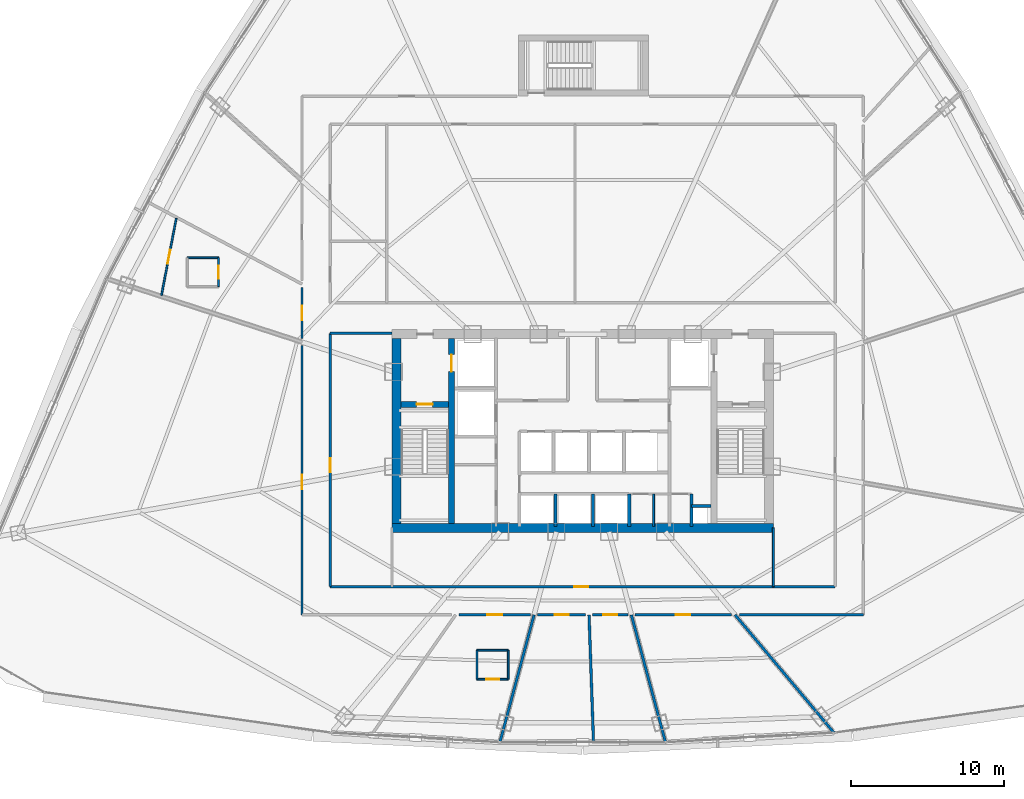
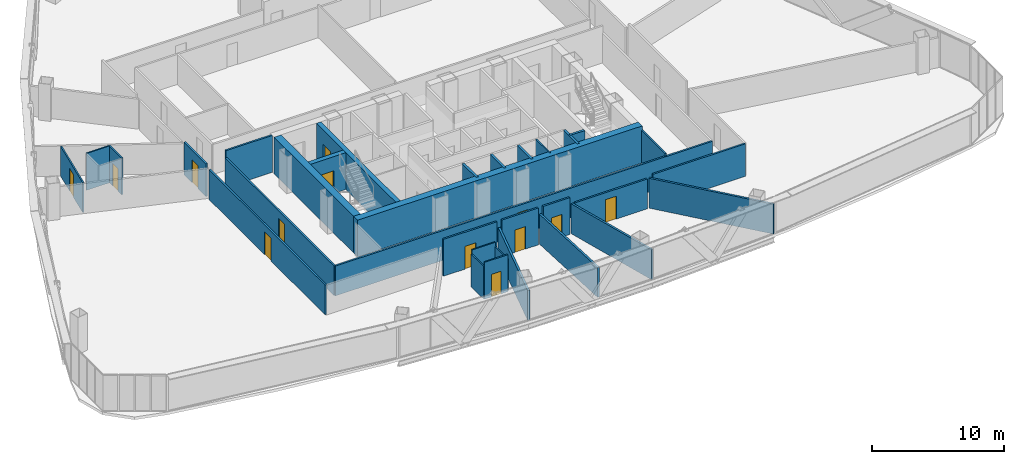
# One storey, part 35 of 42: 32 walls, 13 doors, 13 openings.
"""IFC4 building model written with IfcOpenShell, lengths in metres."""

import ifcopenshell
import ifcopenshell.guid

model = None  # the IFC model being written
_history = None  # IfcOwnerHistory: only IFC2X3 demands one
_inside = {}  # id of a spatial element -> (the spatial element, [elements in it])
_under = {}  # id of a project, library or spatial element -> (it, [spatial elements below it])
_declared = {}  # id of a project -> (the project, [libraries it declares])
_typed = {}  # id of a type object -> (the type object, [elements of that type])
_made_of = {}  # id of a material, layer set ... -> (it, [elements and type objects made of it])


def new_model(schema):
    """Start an empty IFC model of exactly this schema.

    Asked for "IFC4X3", IfcOpenShell would pick the latest addendum, in which some entities
    have other attributes; the version numbers below select the first issue.
    IFC2X3 requires an IfcOwnerHistory on every rooted entity: one is made here for all.
    """
    global model, _history
    if schema == "IFC4X3":
        model = ifcopenshell.file(schema_version=(4, 3, 0, 0))
    else:
        model = ifcopenshell.file(schema=schema)
    _inside.clear()
    _under.clear()
    _declared.clear()
    _typed.clear()
    _made_of.clear()
    _history = None
    if model.schema == "IFC2X3":
        org = make("IfcOrganization", Name="unknown")
        user = make(
            "IfcPersonAndOrganization",
            ThePerson=make("IfcPerson", FamilyName="unknown"),
            TheOrganization=org,
        )
        app = make(
            "IfcApplication",
            ApplicationDeveloper=org,
            Version="unknown",
            ApplicationFullName="unknown",
            ApplicationIdentifier="unknown",
        )
        _history = make(
            "IfcOwnerHistory",
            OwningUser=user,
            OwningApplication=app,
            ChangeAction="ADDED",
            CreationDate=0,
        )
    return model


def make(cls, **values):
    """One entity of the class cls with the attributes given. An attribute that is None is left unset."""
    return model.create_entity(
        cls, **{name: value for name, value in values.items() if value is not None}
    )


def rooted(cls, **values):
    """An entity with a GlobalId (a new one), such as an element, a storey or a relation."""
    return make(cls, GlobalId=ifcopenshell.guid.new(), OwnerHistory=_history, **values)


def si_unit(unit_type, name, prefix=None):
    """IfcSIUnit, for example si_unit("LENGTHUNIT", "METRE", prefix="MILLI")."""
    return make("IfcSIUnit", UnitType=unit_type, Prefix=prefix, Name=name)


def assignment(units):
    """IfcUnitAssignment: the units of a project."""
    return None if units is None else make("IfcUnitAssignment", Units=units)


def point(xyz):
    """IfcCartesianPoint."""
    return None if xyz is None else make("IfcCartesianPoint", Coordinates=xyz)


def direction(xyz):
    """IfcDirection."""
    return None if xyz is None else make("IfcDirection", DirectionRatios=xyz)


def frame(location, z_axis=None, x_axis=None):
    """IfcAxis2Placement3D, a coordinate frame: its origin and axes. An axis left out is left unset."""
    return make(
        "IfcAxis2Placement3D",
        Location=point(location),
        Axis=direction(z_axis),
        RefDirection=direction(x_axis),
    )


def frame_2d(location, x_axis=None):
    """IfcAxis2Placement2D, a coordinate frame in the plane: its origin and x axis."""
    return make(
        "IfcAxis2Placement2D", Location=point(location), RefDirection=direction(x_axis)
    )


def origin():
    """The frame at (0, 0, 0) with its axes left unset."""
    return frame((0.0, 0.0, 0.0))


def origin_with_axes():
    """The frame at (0, 0, 0) with the z axis (0, 0, 1) and the x axis (1, 0, 0) written out."""
    return frame((0.0, 0.0, 0.0), z_axis=(0.0, 0.0, 1.0), x_axis=(1.0, 0.0, 0.0))


def place(relative_to, where):
    """IfcLocalPlacement: puts the frame where relative to a parent placement (None: the world)."""
    return make(
        "IfcLocalPlacement", PlacementRelTo=relative_to, RelativePlacement=where
    )


def context(
    kind, dimensions, precision=None, world=None, true_north=None, identifier=None
):
    """IfcGeometricRepresentationContext, for example the 3D "Model" context."""
    return make(
        "IfcGeometricRepresentationContext",
        ContextIdentifier=identifier,
        ContextType=kind,
        CoordinateSpaceDimension=dimensions,
        Precision=precision,
        WorldCoordinateSystem=world,
        TrueNorth=true_north,
    )


def subcontext(parent, identifier, kind, view, scale=None):
    """IfcGeometricRepresentationSubContext, for example "Body" below "Model"."""
    return make(
        "IfcGeometricRepresentationSubContext",
        ContextIdentifier=identifier,
        ContextType=kind,
        ParentContext=parent,
        TargetScale=scale,
        TargetView=view,
    )


def project(units=None, contexts=None):
    """IfcProject with its units and contexts."""
    return rooted(
        "IfcProject",
        Name="project",
        RepresentationContexts=contexts,
        UnitsInContext=assignment(units),
    )


def spatial(cls, under=None, at=None, **own):
    """A site, building, storey or space (cls), placed at a placement, below another one or the project."""
    s = rooted(cls, ObjectPlacement=at, **own)
    if under is not None:
        _under.setdefault(under.id(), (under, []))[1].append(s)
    return s


def profile(cls, at=None, kind="AREA", **sizes):
    """A parametric profile (cls). Its sizes go by their IFC names, for example OverallWidth=200.0."""
    return make(cls, ProfileType=kind, Position=at, **sizes)


def rectangle(**sizes):
    """IfcRectangleProfileDef."""
    return profile("IfcRectangleProfileDef", **sizes)


def extrude(swept, where, along, depth):
    """IfcExtrudedAreaSolid: the profile swept, set in the frame where, extruded along a direction by depth."""
    return make(
        "IfcExtrudedAreaSolid",
        SweptArea=swept,
        Position=where,
        ExtrudedDirection=direction(along),
        Depth=depth,
    )


def shape(context_of_items, identifier, shape_type, items):
    """IfcShapeRepresentation: the items that make up one representation, for example the "Body"."""
    return make(
        "IfcShapeRepresentation",
        ContextOfItems=context_of_items,
        RepresentationIdentifier=identifier,
        RepresentationType=shape_type,
        Items=items,
    )


def source(mapping_origin, context_of_items, identifier, shape_type, items):
    """IfcRepresentationMap: a shape defined once, which mapped items show again and again."""
    return make(
        "IfcRepresentationMap",
        MappingOrigin=mapping_origin,
        MappedRepresentation=shape(context_of_items, identifier, shape_type, items),
    )


def transform(
    local_origin,
    x_axis=None,
    y_axis=None,
    z_axis=None,
    scale=None,
    scale2=None,
    scale3=None,
    uniform=True,
):
    """IfcCartesianTransformationOperator3D, or its non-uniform kind. x_axis, y_axis, z_axis: its Axis1, 2, 3."""
    if uniform:
        return make(
            "IfcCartesianTransformationOperator3D",
            Axis1=direction(x_axis),
            Axis2=direction(y_axis),
            LocalOrigin=point(local_origin),
            Scale=scale,
            Axis3=direction(z_axis),
        )
    return make(
        "IfcCartesianTransformationOperator3DnonUniform",
        Axis1=direction(x_axis),
        Axis2=direction(y_axis),
        LocalOrigin=point(local_origin),
        Scale=scale,
        Axis3=direction(z_axis),
        Scale2=scale2,
        Scale3=scale3,
    )


def mapped(mapping_source, mapping_target):
    """IfcMappedItem: shows the shape of a source again, moved by a transform."""
    return make(
        "IfcMappedItem", MappingSource=mapping_source, MappingTarget=mapping_target
    )


def material(Name=None, Category=None):
    """IfcMaterial."""
    return make("IfcMaterial", Name=Name, Category=Category)


def layer(
    of_material, thickness, ventilated=None, Name=None, Category=None, Priority=None
):
    """IfcMaterialLayer: one layer of a wall or slab, of a material (None: an air gap)."""
    return make(
        "IfcMaterialLayer",
        Material=of_material,
        LayerThickness=thickness,
        IsVentilated=ventilated,
        Name=Name,
        Category=Category,
        Priority=Priority,
    )


def layer_set(layers, Name=None):
    """IfcMaterialLayerSet."""
    return make("IfcMaterialLayerSet", MaterialLayers=layers, LayerSetName=Name)


def made_of(thing, what):
    """Note that an element or type object is made of a material, layer set ...; save() writes the relation."""
    if what is not None:
        _made_of.setdefault(what.id(), (what, []))[1].append(thing)
    return thing


def type_object(cls, material=None, **own):
    """A type object (cls), such as IfcWallType, which elements share."""
    return made_of(rooted(cls, **own), material)


def element(
    cls,
    number,
    at=None,
    inside=None,
    cuts=None,
    type_object=None,
    material=None,
    context=None,
    identifier="Body",
    shape_type=None,
    held_by="IfcProductDefinitionShape",
    body=None,
    shapes=None,
    **own,
):
    """One element of the class cls, such as IfcWall. Its Tag is "e" and its number.

    at: its placement. inside: the storey or other place that contains it. cuts: it is an
    opening in that element (IfcRelVoidsElement). A single representation is given by context,
    identifier, shape_type and body (its items); several are given by shapes. held_by: the class
    of the entity that holds the representations. save() writes the other relations.
    """
    e = rooted(cls, Tag="e%d" % number, ObjectPlacement=at, **own)
    if body is not None:
        shapes = [shape(context, identifier, shape_type, body)]
    if shapes is not None:
        e.Representation = make(held_by, Representations=shapes)
    if inside is not None:
        _inside.setdefault(inside.id(), (inside, []))[1].append(e)
    if cuts is not None:
        rooted(
            "IfcRelVoidsElement", RelatingBuildingElement=cuts, RelatedOpeningElement=e
        )
    if type_object is not None:
        _typed.setdefault(type_object.id(), (type_object, []))[1].append(e)
    return made_of(e, material)


def fill(opening, filler):
    """IfcRelFillsElement: the door or window that sits in an opening."""
    return rooted(
        "IfcRelFillsElement",
        RelatingOpeningElement=opening,
        RelatedBuildingElement=filler,
    )


def aggregate(whole, parts):
    """IfcRelAggregates: a whole, such as a stair, and the parts it consists of."""
    return rooted("IfcRelAggregates", RelatingObject=whole, RelatedObjects=parts)


def save(model, path):
    """Write the relations noted so far, then the file.

    IfcRelAggregates (storeys below a building ...), IfcRelContainedInSpatialStructure (elements
    in a storey), IfcRelDefinesByType, IfcRelAssociatesMaterial and IfcRelDeclares: one each for
    every whole, place, type object, material and project.
    """
    for whole, parts in _under.values():
        aggregate(whole, parts)
    for where, things in _inside.values():
        rooted(
            "IfcRelContainedInSpatialStructure",
            RelatedElements=things,
            RelatingStructure=where,
        )
    for kind, things in _typed.values():
        rooted("IfcRelDefinesByType", RelatedObjects=things, RelatingType=kind)
    for what, things in _made_of.values():
        rooted("IfcRelAssociatesMaterial", RelatedObjects=things, RelatingMaterial=what)
    for by, libraries in _declared.values():
        rooted("IfcRelDeclares", RelatingContext=by, RelatedDefinitions=libraries)
    model.write(path)


model = new_model("IFC4")

# Units and contexts
model_context = context("Model", 3, precision=1e-05, world=origin(), true_north=direction((0.0, 1.0)))
body_context = subcontext(model_context, "Body", "Model", "MODEL_VIEW")
ifc_project = project(units=[si_unit("LENGTHUNIT", "METRE"), si_unit("AREAUNIT", "SQUARE_METRE"), si_unit("VOLUMEUNIT", "CUBIC_METRE"), si_unit("PLANEANGLEUNIT", "RADIAN"), si_unit("MASSUNIT", "GRAM", prefix="KILO"), si_unit("THERMODYNAMICTEMPERATUREUNIT", "KELVIN"), si_unit("POWERUNIT", "WATT")], contexts=[model_context])

# Site, building, storey
site_placement = place(None, origin())
site = spatial("IfcSite", under=ifc_project, at=site_placement, CompositionType="ELEMENT")
building_placement = place(site_placement, origin())
building = spatial("IfcBuilding", under=site, at=building_placement, Name="Yunzhuo Pagoda Commons", CompositionType="ELEMENT")
storey_placement = place(building_placement, frame((0.0, 0.0, 151.909912109375)))
storey = spatial("IfcBuildingStorey", under=building, at=storey_placement, Name="L38", CompositionType="ELEMENT", Elevation=151.909912109375)

# Walls
ifc_material_1 = material(Name="Concrete C60", Category="concrete")
ifc_layer_1 = layer(ifc_material_1, 0.60009765625)
ifc_layer_set_1 = layer_set([ifc_layer_1], Name="Concrete C60")
wall_type_1 = type_object("IfcWallType", Name="W-C02 Mid Core Shear Wall 600", PredefinedType="SHEAR", material=ifc_layer_set_1)
wall_1_placement = place(storey_placement, frame((35.5, 27.5, 0.0), z_axis=(0.0, 0.0, 1.0), x_axis=(1.0, 0.0, 0.0)))
element("IfcWall", 1, at=wall_1_placement, inside=storey, type_object=wall_type_1, Name="L38 core shear wall S", PredefinedType="SHEAR", context=body_context, shape_type="SweptSolid", body=[
    extrude(rectangle(XDim=25.0, YDim=0.60009765625, at=frame_2d((12.5, 0.0))), origin(), (0.0, 0.0, 1.0), 3.420166015625),
])
wall_2_placement = place(storey_placement, frame((35.800048828125, 27.800048828125, 0.0), z_axis=(0.0, 0.0, 1.0), x_axis=(0.0, 1.0, 0.0)))
element("IfcWall", 2, at=wall_2_placement, inside=storey, type_object=wall_type_1, Name="L38 core shear wall W", PredefinedType="SHEAR", context=body_context, shape_type="SweptSolid", body=[
    extrude(rectangle(XDim=12.099853515625, YDim=0.60009765625, at=frame_2d((6.0498046875, 0.0))), origin(), (0.0, 0.0, 1.0), 3.420166015625),
])

# Wall, opening, door
ifc_material_2 = material(Name="Gypsum plasterboard on acoustic stud")
ifc_layer_2 = layer(ifc_material_2, 0.155029296875)
ifc_layer_set_2 = layer_set([ifc_layer_2], Name="Gypsum plasterboard on acoustic stud")
wall_type_2 = type_object("IfcWallType", Name="W-COR2 Mid-Zone Rated Corridor Wall 155", PredefinedType="PARTITIONING", material=ifc_layer_set_2)
wall_3_placement = place(storey_placement, frame((31.449951171875, 23.64990234375, 0.0), z_axis=(0.0, 0.0, 1.0), x_axis=(0.0, 1.0, 0.0)))
wall_3 = element("IfcWall", 3, at=wall_3_placement, inside=storey, type_object=wall_type_2, Name="L38 interior wall IW-L38-SFLW", PredefinedType="PARTITIONING", context=body_context, shape_type="SweptSolid", body=[
    extrude(rectangle(XDim=16.60009765625, YDim=0.155029296875, at=frame_2d((8.300048828125, 0.0))), origin(), (0.0, 0.0, 1.0), 2.77001953125),
])
opening_1_placement = place(wall_3_placement, frame((7.5, 0.0, 0.0)))
opening_1 = element("IfcOpeningElement", 4, at=opening_1_placement, cuts=wall_3, Name="Opening D-12", PredefinedType="OPENING", context=body_context, shape_type="SweptSolid", body=[
    extrude(rectangle(XDim=0.89990234375, YDim=2.080078125, at=frame_2d((0.449951171875, 1.0400390625))), frame((0.0, 0.08740234375, 0.0), z_axis=(0.0, -1.0, 0.0), x_axis=(1.0, 0.0, 0.0)), (0.0, 0.0, 1.0), 0.175048828125),
])
ifc_material_3 = material(Name="Powder-coated aluminium and timber acoustic leaf", Category="wood")
door_type_1 = type_object("IfcDoorType", Name="D-12 Quiet Study Interior Door 900x2080", OperationType="NOTDEFINED", PredefinedType="DOOR", material=ifc_material_3)
shared_shape_1 = source(origin(), body_context, "Body", "SweptSolid", [
    extrude(rectangle(XDim=0.89990234375, YDim=2.080078125, at=frame_2d((0.449951171875, 1.0400390625))), frame((0.0, 0.02490234375, 0.0), z_axis=(0.0, -1.0, 0.0), x_axis=(1.0, 0.0, 0.0)), (0.0, 0.0, 1.0), 0.050048828125),
])
door_1_placement = place(opening_1_placement, origin_with_axes())
door_1 = element("IfcDoor", 5, at=door_1_placement, inside=storey, type_object=door_type_1, Name="L38 west study workroom door", OperationType="SINGLE_SWING_LEFT", OverallHeight=2.080078125, OverallWidth=0.89990234375, PredefinedType="DOOR", context=body_context, shape_type="MappedRepresentation", body=[
    mapped(shared_shape_1, transform((0.0, 0.0, 0.0), scale=1.0)),
])
fill(opening_1, door_1)

wall_4_placement = place(storey_placement, frame((31.449951171875, 23.64990234375, 0.0), z_axis=(0.0, 0.0, 1.0), x_axis=(1.0, 0.0, 0.0)))
wall_4 = element("IfcWall", 6, at=wall_4_placement, inside=storey, type_object=wall_type_2, Name="L38 interior wall IW-L38-SFLS", PredefinedType="PARTITIONING", context=body_context, shape_type="SweptSolid", body=[
    extrude(rectangle(XDim=33.10009765625, YDim=0.155029296875, at=frame_2d((16.550048828125, 0.0))), origin(), (0.0, 0.0, 1.0), 2.77001953125),
])
opening_2_placement = place(wall_4_placement, frame((16.0, 0.0, 0.0)))
opening_2 = element("IfcOpeningElement", 7, at=opening_2_placement, cuts=wall_4, Name="Opening D-04", PredefinedType="OPENING", context=body_context, shape_type="SweptSolid", body=[
    extrude(rectangle(XDim=0.919921875, YDim=2.10009765625, at=frame_2d((0.4599609375, 1.050048828125))), frame((0.0, 0.08740234375, 0.0), z_axis=(0.0, -1.0, 0.0), x_axis=(1.0, 0.0, 0.0)), (0.0, 0.0, 1.0), 0.175048828125),
])
door_type_2 = type_object("IfcDoorType", Name="D-04 Bedroom & Study Interior Door 920x2100", OperationType="NOTDEFINED", PredefinedType="DOOR", material=ifc_material_3)
shared_shape_2 = source(origin(), body_context, "Body", "SweptSolid", [
    extrude(rectangle(XDim=0.919921875, YDim=2.10009765625, at=frame_2d((0.4599609375, 1.050048828125))), frame((0.0, 0.02490234375, 0.0), z_axis=(0.0, -1.0, 0.0), x_axis=(1.0, 0.0, 0.0)), (0.0, 0.0, 1.0), 0.050048828125),
])
door_2_placement = place(opening_2_placement, frame((0.919921875, 0.0, 0.0), z_axis=(0.0, 0.0, 1.0), x_axis=(-1.0, 0.0, 0.0)))
door_2 = element("IfcDoor", 8, at=door_2_placement, inside=storey, type_object=door_type_2, Name="L38 south seminar room door", OperationType="SINGLE_SWING_RIGHT", OverallHeight=2.10009765625, OverallWidth=0.919921875, PredefinedType="DOOR", context=body_context, shape_type="MappedRepresentation", body=[
    mapped(shared_shape_2, transform((0.0, 0.0, 0.0), scale=1.0)),
])
fill(opening_2, door_2)

# Wall
wall_5_placement = place(storey_placement, frame((31.449951171875, 40.25, 0.0), z_axis=(0.0, 0.0, 1.0), x_axis=(1.0, 0.0, 0.0)))
element("IfcWall", 9, at=wall_5_placement, inside=storey, type_object=wall_type_2, Name="L38 interior wall IW-L38-SFLNW", PredefinedType="PARTITIONING", context=body_context, shape_type="SweptSolid", body=[
    extrude(rectangle(XDim=4.050048828125, YDim=0.155029296875, at=frame_2d((2.02490234375, 0.0))), origin(), (0.0, 0.0, 1.0), 3.420166015625),
])

# Wall, opening, door
wall_6_placement = place(storey_placement, frame((29.60009765625, 21.800048828125, 0.0), z_axis=(0.0, 0.0, 1.0), x_axis=(0.0, 1.0, 0.0)))
wall_6 = element("IfcWall", 10, at=wall_6_placement, inside=storey, type_object=wall_type_2, Name="L38 interior wall IW-L38-CWL01", PredefinedType="PARTITIONING", context=body_context, shape_type="SweptSolid", body=[
    extrude(rectangle(XDim=17.65869140625, YDim=0.155029296875, at=frame_2d((8.829345703125, 0.0))), origin(), (0.0, 0.0, 1.0), 2.77001953125),
])
opening_3_placement = place(wall_6_placement, frame((8.234375, 0.0, 0.0)))
opening_3 = element("IfcOpeningElement", 11, at=opening_3_placement, cuts=wall_6, Name="Opening D-07", PredefinedType="OPENING", context=body_context, shape_type="SweptSolid", body=[
    extrude(rectangle(XDim=0.9599609375, YDim=2.1201171875, at=frame_2d((0.47998046875, 1.06005859375))), frame((0.0, 0.08740234375, 0.0), z_axis=(0.0, -1.0, 0.0), x_axis=(1.0, 0.0, 0.0)), (0.0, 0.0, 1.0), 0.175048828125),
])
ifc_material_4 = material(Name="Galvanized fire-resisting metal leaf")
door_type_3 = type_object("IfcDoorType", Name="D-07 Mid-Zone Suite Entrance Fire Door 960x2120", OperationType="NOTDEFINED", PredefinedType="DOOR", material=ifc_material_4)
shared_shape_3 = source(origin(), body_context, "Body", "SweptSolid", [
    extrude(rectangle(XDim=0.9599609375, YDim=2.1201171875, at=frame_2d((0.47998046875, 1.06005859375))), frame((0.0, 0.02490234375, 0.0), z_axis=(0.0, -1.0, 0.0), x_axis=(1.0, 0.0, 0.0)), (0.0, 0.0, 1.0), 0.050048828125),
])
door_3_placement = place(opening_3_placement, origin_with_axes())
door_3 = element("IfcDoor", 12, at=door_3_placement, inside=storey, type_object=door_type_3, Name="L38 Resident Co-Living Commons Hall door", OperationType="SINGLE_SWING_RIGHT", OverallHeight=2.1201171875, OverallWidth=0.9599609375, PredefinedType="DOOR", context=body_context, shape_type="MappedRepresentation", body=[
    mapped(shared_shape_3, transform((0.0, 0.0, 0.0), scale=1.0)),
])
fill(opening_3, door_3)

wall_7_placement = place(storey_placement, frame((29.60009765625, 39.909912109375, 0.0), z_axis=(0.0, 0.0, 1.0), x_axis=(0.0, 1.0, 0.0)))
wall_7 = element("IfcWall", 13, at=wall_7_placement, inside=storey, type_object=wall_type_2, Name="L38 interior wall IW-L38-CWL02", PredefinedType="PARTITIONING", context=body_context, shape_type="SweptSolid", body=[
    extrude(rectangle(XDim=3.353515625, YDim=0.155029296875, at=frame_2d((1.6767578125, 0.0))), origin(), (0.0, 0.0, 1.0), 3.02001953125),
])
opening_4_placement = place(wall_7_placement, frame((1.1962890625, 0.0, 0.0)))
opening_4 = element("IfcOpeningElement", 14, at=opening_4_placement, cuts=wall_7, Name="Opening D-07", PredefinedType="OPENING", context=body_context, shape_type="SweptSolid", body=[
    extrude(rectangle(XDim=0.9599609375, YDim=2.1201171875, at=frame_2d((0.47998046875, 1.06005859375))), frame((0.0, 0.08740234375, 0.0), z_axis=(0.0, -1.0, 0.0), x_axis=(1.0, 0.0, 0.0)), (0.0, 0.0, 1.0), 0.175048828125),
])
door_4_placement = place(opening_4_placement, origin_with_axes())
door_4 = element("IfcDoor", 15, at=door_4_placement, inside=storey, type_object=door_type_3, Name="L38 unit 07 entrance door", OperationType="SINGLE_SWING_LEFT", OverallHeight=2.1201171875, OverallWidth=0.9599609375, PredefinedType="DOOR", context=body_context, shape_type="MappedRepresentation", body=[
    mapped(shared_shape_3, transform((0.0, 0.0, 0.0), scale=1.0)),
])
fill(opening_4, door_4)

# Wall
wall_8_placement = place(storey_placement, frame((66.39990234375, 21.800048828125, 0.0), z_axis=(0.0, 0.0, 1.0), x_axis=(-1.0, 0.0, 0.0)))
element("IfcWall", 16, at=wall_8_placement, inside=storey, type_object=wall_type_2, Name="L38 interior wall IW-L38-CWL13", PredefinedType="PARTITIONING", context=body_context, shape_type="SweptSolid", body=[
    extrude(rectangle(XDim=8.12744140625, YDim=0.155029296875, at=frame_2d((4.063720703125, 0.0))), origin(), (0.0, 0.0, 1.0), 3.02001953125),
])

# Wall, opening, door
wall_9_placement = place(storey_placement, frame((57.765380859375, 21.800048828125, 0.0), z_axis=(0.0, 0.0, 1.0), x_axis=(-1.0, 0.0, 0.0)))
wall_9 = element("IfcWall", 17, at=wall_9_placement, inside=storey, type_object=wall_type_2, Name="L38 interior wall IW-L38-CWL14", PredefinedType="PARTITIONING", context=body_context, shape_type="SweptSolid", body=[
    extrude(rectangle(XDim=6.348876953125, YDim=0.155029296875, at=frame_2d((3.17431640625, 0.0))), origin(), (0.0, 0.0, 1.0), 2.77001953125),
])
opening_5_placement = place(wall_9_placement, frame((2.703369140625, 0.0, 0.0)))
opening_5 = element("IfcOpeningElement", 18, at=opening_5_placement, cuts=wall_9, Name="Opening D-07", PredefinedType="OPENING", context=body_context, shape_type="SweptSolid", body=[
    extrude(rectangle(XDim=0.9599609375, YDim=2.1201171875, at=frame_2d((0.47998046875, 1.06005859375))), frame((0.0, 0.08740234375, 0.0), z_axis=(0.0, -1.0, 0.0), x_axis=(1.0, 0.0, 0.0)), (0.0, 0.0, 1.0), 0.175048828125),
])
door_5_placement = place(opening_5_placement, origin_with_axes())
door_5 = element("IfcDoor", 19, at=door_5_placement, inside=storey, type_object=door_type_3, Name="L38 unit 12 entrance door", OperationType="SINGLE_SWING_RIGHT", OverallHeight=2.1201171875, OverallWidth=0.9599609375, PredefinedType="DOOR", context=body_context, shape_type="MappedRepresentation", body=[
    mapped(shared_shape_3, transform((0.0, 0.0, 0.0), scale=1.0)),
])
fill(opening_5, door_5)

wall_10_placement = place(storey_placement, frame((50.96875, 21.800048828125, 0.0), z_axis=(0.0, 0.0, 1.0), x_axis=(-1.0, 0.0, 0.0)))
wall_10 = element("IfcWall", 20, at=wall_10_placement, inside=storey, type_object=wall_type_2, Name="L38 interior wall IW-L38-CWL15", PredefinedType="PARTITIONING", context=body_context, shape_type="SweptSolid", body=[
    extrude(rectangle(XDim=2.3330078125, YDim=0.155029296875, at=frame_2d((1.16650390625, 0.0))), origin(), (0.0, 0.0, 1.0), 3.420166015625),
])
opening_6_placement = place(wall_10_placement, frame((0.706787109375, 0.0, 0.0)))
opening_6 = element("IfcOpeningElement", 21, at=opening_6_placement, cuts=wall_10, Name="Opening D-04", PredefinedType="OPENING", context=body_context, shape_type="SweptSolid", body=[
    extrude(rectangle(XDim=0.919921875, YDim=2.10009765625, at=frame_2d((0.4599609375, 1.050048828125))), frame((0.0, 0.08740234375, 0.0), z_axis=(0.0, -1.0, 0.0), x_axis=(1.0, 0.0, 0.0)), (0.0, 0.0, 1.0), 0.175048828125),
])
door_6_placement = place(opening_6_placement, origin_with_axes())
door_6 = element("IfcDoor", 22, at=door_6_placement, inside=storey, type_object=door_type_2, Name="L38 fellow workroom 11 door", OperationType="SINGLE_SWING_LEFT", OverallHeight=2.10009765625, OverallWidth=0.919921875, PredefinedType="DOOR", context=body_context, shape_type="MappedRepresentation", body=[
    mapped(shared_shape_2, transform((0.0, 0.0, 0.0), scale=1.0)),
])
fill(opening_6, door_6)

wall_11_placement = place(storey_placement, frame((48.19580078125, 21.800048828125, 0.0), z_axis=(0.0, 0.0, 1.0), x_axis=(-1.0, 0.0, 0.0)))
wall_11 = element("IfcWall", 23, at=wall_11_placement, inside=storey, type_object=wall_type_2, Name="L38 interior wall IW-L38-CWL16", PredefinedType="PARTITIONING", context=body_context, shape_type="SweptSolid", body=[
    extrude(rectangle(XDim=3.16455078125, YDim=0.155029296875, at=frame_2d((1.582275390625, 0.0))), origin(), (0.0, 0.0, 1.0), 3.420166015625),
])
opening_7_placement = place(wall_11_placement, frame((1.122314453125, 0.0, 0.0)))
opening_7 = element("IfcOpeningElement", 24, at=opening_7_placement, cuts=wall_11, Name="Opening D-04", PredefinedType="OPENING", context=body_context, shape_type="SweptSolid", body=[
    extrude(rectangle(XDim=0.919921875, YDim=2.10009765625, at=frame_2d((0.4599609375, 1.050048828125))), frame((0.0, 0.08740234375, 0.0), z_axis=(0.0, -1.0, 0.0), x_axis=(1.0, 0.0, 0.0)), (0.0, 0.0, 1.0), 0.175048828125),
])
door_7_placement = place(opening_7_placement, origin_with_axes())
door_7 = element("IfcDoor", 25, at=door_7_placement, inside=storey, type_object=door_type_2, Name="L38 fellow workroom 10 door", OperationType="SINGLE_SWING_RIGHT", OverallHeight=2.10009765625, OverallWidth=0.919921875, PredefinedType="DOOR", context=body_context, shape_type="MappedRepresentation", body=[
    mapped(shared_shape_2, transform((0.0, 0.0, 0.0), scale=1.0)),
])
fill(opening_7, door_7)

wall_12_placement = place(storey_placement, frame((44.58349609375, 21.800048828125, 0.0), z_axis=(0.0, 0.0, 1.0), x_axis=(-1.0, 0.0, 0.0)))
wall_12 = element("IfcWall", 26, at=wall_12_placement, inside=storey, type_object=wall_type_2, Name="L38 interior wall IW-L38-CWL17", PredefinedType="PARTITIONING", context=body_context, shape_type="SweptSolid", body=[
    extrude(rectangle(XDim=4.6962890625, YDim=0.155029296875, at=frame_2d((2.34814453125, 0.0))), origin(), (0.0, 0.0, 1.0), 3.420166015625),
])
opening_8_placement = place(wall_12_placement, frame((1.869140625, 0.0, 0.0)))
opening_8 = element("IfcOpeningElement", 27, at=opening_8_placement, cuts=wall_12, Name="Opening D-07", PredefinedType="OPENING", context=body_context, shape_type="SweptSolid", body=[
    extrude(rectangle(XDim=0.9599609375, YDim=2.1201171875, at=frame_2d((0.47998046875, 1.06005859375))), frame((0.0, 0.08740234375, 0.0), z_axis=(0.0, -1.0, 0.0), x_axis=(1.0, 0.0, 0.0)), (0.0, 0.0, 1.0), 0.175048828125),
])
door_8_placement = place(opening_8_placement, origin_with_axes())
door_8 = element("IfcDoor", 28, at=door_8_placement, inside=storey, type_object=door_type_3, Name="L38 unit 09 entrance door", OperationType="SINGLE_SWING_LEFT", OverallHeight=2.1201171875, OverallWidth=0.9599609375, PredefinedType="DOOR", context=body_context, shape_type="MappedRepresentation", body=[
    mapped(shared_shape_3, transform((0.0, 0.0, 0.0), scale=1.0)),
])
fill(opening_8, door_8)

# Walls
ifc_layer_3 = layer(ifc_material_2, 0.1201171875)
ifc_layer_set_3 = layer_set([ifc_layer_3], Name="Gypsum plasterboard on acoustic stud")
wall_type_3 = type_object("IfcWallType", Name="W-PRT1 Suite & Bathroom Partition 120", PredefinedType="PARTITIONING", material=ifc_layer_set_3)
wall_13_placement = place(storey_placement, frame((52.64990234375, 27.60009765625, 0.0), z_axis=(0.0, 0.0, 1.0), x_axis=(0.0, 1.0, 0.0)))
element("IfcWall", 29, at=wall_13_placement, inside=storey, type_object=wall_type_3, Name="L38 interior wall IW-L38-CD2", PredefinedType="PARTITIONING", context=body_context, shape_type="SweptSolid", body=[
    extrude(rectangle(XDim=2.119873046875, YDim=0.1201171875, at=frame_2d((1.06005859375, 0.0))), origin(), (0.0, 0.0, 1.0), 3.420166015625),
])
wall_14_placement = place(storey_placement, frame((60.5, 23.64990234375, 0.0), z_axis=(0.0, 0.0, 1.0), x_axis=(0.0, 1.0, 0.0)))
element("IfcWall", 30, at=wall_14_placement, inside=storey, type_object=wall_type_3, Name="L38 interior wall IW-L38-SFLD2", PredefinedType="PARTITIONING", context=body_context, shape_type="SweptSolid", body=[
    extrude(rectangle(XDim=3.85009765625, YDim=0.1201171875, at=frame_2d((1.925048828125, 0.0))), origin(), (0.0, 0.0, 1.0), 3.02001953125),
])

# Wall, opening, door
wall_15_placement = place(storey_placement, frame((24.1298828125, 43.31005859375, 0.0), z_axis=(0.0, 0.0, 1.0), x_axis=(0.0, 1.0, 0.0)))
wall_15 = element("IfcWall", 31, at=wall_15_placement, inside=storey, type_object=wall_type_3, Name="L38 interior wall IW-L38-B07E", PredefinedType="PARTITIONING", context=body_context, shape_type="SweptSolid", body=[
    extrude(rectangle(XDim=1.89990234375, YDim=0.1201171875, at=frame_2d((0.949951171875, 0.0))), origin(), (0.0, 0.0, 1.0), 3.420166015625),
])
opening_9_placement = place(wall_15_placement, frame((0.52490234375, 0.0, 0.0)))
opening_9 = element("IfcOpeningElement", 32, at=opening_9_placement, cuts=wall_15, Name="Opening D-05", PredefinedType="OPENING", context=body_context, shape_type="SweptSolid", body=[
    extrude(rectangle(XDim=0.85009765625, YDim=2.10009765625, at=frame_2d((0.425048828125, 1.050048828125))), frame((0.0, 0.070068359375, 0.0), z_axis=(0.0, -1.0, 0.0), x_axis=(1.0, 0.0, 0.0)), (0.0, 0.0, 1.0), 0.14013671875),
])
door_type_4 = type_object("IfcDoorType", Name="D-05 En-Suite Bathroom Door 850x2100", OperationType="NOTDEFINED", PredefinedType="DOOR", material=ifc_material_3)
shared_shape_4 = source(origin(), body_context, "Body", "SweptSolid", [
    extrude(rectangle(XDim=0.85009765625, YDim=2.10009765625, at=frame_2d((0.425048828125, 1.050048828125))), frame((0.0, 0.02490234375, 0.0), z_axis=(0.0, -1.0, 0.0), x_axis=(1.0, 0.0, 0.0)), (0.0, 0.0, 1.0), 0.050048828125),
])
door_9_placement = place(opening_9_placement, frame((0.85009765625, 0.0, 0.0), z_axis=(0.0, 0.0, 1.0), x_axis=(-1.0, 0.0, 0.0)))
door_9 = element("IfcDoor", 33, at=door_9_placement, inside=storey, type_object=door_type_4, Name="L38 unit 07 bathroom door", OperationType="SINGLE_SWING_LEFT", OverallHeight=2.10009765625, OverallWidth=0.85009765625, PredefinedType="DOOR", context=body_context, shape_type="MappedRepresentation", body=[
    mapped(shared_shape_4, transform((0.0, 0.0, 0.0), scale=1.0)),
])
fill(opening_9, door_9)

# Wall
wall_16_placement = place(storey_placement, frame((24.1298828125, 45.2099609375, 0.0), z_axis=(0.0, 0.0, 1.0), x_axis=(-1.0, 0.0, 0.0)))
element("IfcWall", 34, at=wall_16_placement, inside=storey, type_object=wall_type_3, Name="L38 interior wall IW-L38-B07N", PredefinedType="PARTITIONING", context=body_context, shape_type="SweptSolid", body=[
    extrude(rectangle(XDim=2.0498046875, YDim=0.1201171875, at=frame_2d((1.02490234375, 0.0))), origin(), (0.0, 0.0, 1.0), 3.420166015625),
])

# Wall, opening, door
wall_17_placement = place(storey_placement, frame((21.363525390625, 47.794921875, 0.0), z_axis=(0.0, 0.0, 1.0), x_axis=(-0.188731428073, -0.982028740953, 0.0)))
wall_17 = element("IfcWall", 35, at=wall_17_placement, inside=storey, type_object=wall_type_3, Name="L38 interior wall IW-L38-CLB07", PredefinedType="PARTITIONING", context=body_context, shape_type="SweptSolid", body=[
    extrude(rectangle(XDim=5.153564453125, YDim=0.1201171875, at=frame_2d((2.57666015625, 0.0))), origin(), (0.0, 0.0, 1.0), 2.77001953125),
])
opening_10_placement = place(wall_17_placement, frame((2.116943359375, 0.0, 0.0)))
opening_10 = element("IfcOpeningElement", 36, at=opening_10_placement, cuts=wall_17, Name="Opening D-04", PredefinedType="OPENING", context=body_context, shape_type="SweptSolid", body=[
    extrude(rectangle(XDim=0.919921875, YDim=2.10009765625, at=frame_2d((0.4599609375, 1.050048828125))), frame((0.0, 0.070068359375, 0.0), z_axis=(0.0, -1.0, 0.0), x_axis=(1.0, 0.0, 0.0)), (0.0, 0.0, 1.0), 0.14013671875),
])
door_10_placement = place(opening_10_placement, origin_with_axes())
door_10 = element("IfcDoor", 37, at=door_10_placement, inside=storey, type_object=door_type_2, Name="L38 suite 07 bedroom door", OperationType="SINGLE_SWING_LEFT", OverallHeight=2.10009765625, OverallWidth=0.919921875, PredefinedType="DOOR", context=body_context, shape_type="MappedRepresentation", body=[
    mapped(shared_shape_2, transform((0.0, 0.0, 0.0), scale=1.0)),
])
fill(opening_10, door_10)

wall_18_placement = place(storey_placement, frame((41.06689453125, 17.5810546875, 0.0), z_axis=(0.0, 0.0, 1.0), x_axis=(1.0, 0.0, 0.0)))
wall_18 = element("IfcWall", 38, at=wall_18_placement, inside=storey, type_object=wall_type_3, Name="L38 interior wall IW-L38-B09S", PredefinedType="PARTITIONING", context=body_context, shape_type="SweptSolid", body=[
    extrude(rectangle(XDim=2.050048828125, YDim=0.1201171875, at=frame_2d((1.02490234375, 0.0))), origin(), (0.0, 0.0, 1.0), 3.420166015625),
])
opening_11_placement = place(wall_18_placement, frame((0.60009765625, 0.0, 0.0)))
opening_11 = element("IfcOpeningElement", 39, at=opening_11_placement, cuts=wall_18, Name="Opening D-05", PredefinedType="OPENING", context=body_context, shape_type="SweptSolid", body=[
    extrude(rectangle(XDim=0.85009765625, YDim=2.10009765625, at=frame_2d((0.425048828125, 1.050048828125))), frame((0.0, 0.070068359375, 0.0), z_axis=(0.0, -1.0, 0.0), x_axis=(1.0, 0.0, 0.0)), (0.0, 0.0, 1.0), 0.14013671875),
])
door_11_placement = place(opening_11_placement, frame((0.85009765625, 0.0, 0.0), z_axis=(0.0, 0.0, 1.0), x_axis=(-1.0, 0.0, 0.0)))
door_11 = element("IfcDoor", 40, at=door_11_placement, inside=storey, type_object=door_type_4, Name="L38 unit 09 bathroom door", OperationType="SINGLE_SWING_LEFT", OverallHeight=2.10009765625, OverallWidth=0.85009765625, PredefinedType="DOOR", context=body_context, shape_type="MappedRepresentation", body=[
    mapped(shared_shape_4, transform((0.0, 0.0, 0.0), scale=1.0)),
])
fill(opening_11, door_11)

# Walls
wall_19_placement = place(storey_placement, frame((43.116943359375, 17.5810546875, 0.0), z_axis=(0.0, 0.0, 1.0), x_axis=(0.0, 1.0, 0.0)))
element("IfcWall", 41, at=wall_19_placement, inside=storey, type_object=wall_type_3, Name="L38 interior wall IW-L38-B09E", PredefinedType="PARTITIONING", context=body_context, shape_type="SweptSolid", body=[
    extrude(rectangle(XDim=1.89990234375, YDim=0.1201171875, at=frame_2d((0.949951171875, 0.0))), origin(), (0.0, 0.0, 1.0), 3.02001953125),
])
wall_20_placement = place(storey_placement, frame((43.116943359375, 19.48095703125, 0.0), z_axis=(0.0, 0.0, 1.0), x_axis=(-1.0, 0.0, 0.0)))
element("IfcWall", 42, at=wall_20_placement, inside=storey, type_object=wall_type_3, Name="L38 interior wall IW-L38-B09N", PredefinedType="PARTITIONING", context=body_context, shape_type="SweptSolid", body=[
    extrude(rectangle(XDim=2.050048828125, YDim=0.1201171875, at=frame_2d((1.02490234375, 0.0))), origin(), (0.0, 0.0, 1.0), 3.420166015625),
])
wall_21_placement = place(storey_placement, frame((41.06689453125, 19.48095703125, 0.0), z_axis=(0.0, 0.0, 1.0), x_axis=(0.0, -1.0, 0.0)))
element("IfcWall", 43, at=wall_21_placement, inside=storey, type_object=wall_type_3, Name="L38 interior wall IW-L38-B09W", PredefinedType="PARTITIONING", context=body_context, shape_type="SweptSolid", body=[
    extrude(rectangle(XDim=1.89990234375, YDim=0.1201171875, at=frame_2d((0.949951171875, 0.0))), origin(), (0.0, 0.0, 1.0), 3.02001953125),
])
ifc_layer_4 = layer(ifc_material_2, 0.175048828125)
ifc_layer_set_4 = layer_set([ifc_layer_4], Name="Gypsum plasterboard on acoustic stud")
wall_type_4 = type_object("IfcWallType", Name="W-PRT3 Mid-Zone Demising Wall 175", PredefinedType="PARTITIONING", material=ifc_layer_set_4)
wall_22_placement = place(storey_placement, frame((44.811279296875, 21.800048828125, 0.0), z_axis=(0.0, 0.0, 1.0), x_axis=(-0.258790159725, -0.96593356564, 0.0)))
element("IfcWall", 44, at=wall_22_placement, inside=storey, type_object=wall_type_4, Name="L38 interior wall IW-L38-RAD09", PredefinedType="PARTITIONING", context=body_context, shape_type="SweptSolid", body=[
    extrude(rectangle(XDim=8.65087890625, YDim=0.175048828125, at=frame_2d((4.325439453125, 0.0))), origin(), (0.0, 0.0, 1.0), 2.77001953125),
])
wall_23_placement = place(storey_placement, frame((48.41552734375, 21.800048828125, 0.0), z_axis=(0.0, 0.0, 1.0), x_axis=(0.034921859784, -0.999390045833, 0.0)))
element("IfcWall", 45, at=wall_23_placement, inside=storey, type_object=wall_type_4, Name="L38 interior wall IW-L38-RAD10", PredefinedType="PARTITIONING", context=body_context, shape_type="SweptSolid", body=[
    extrude(rectangle(XDim=8.361328125, YDim=0.175048828125, at=frame_2d((4.1806640625, 0.0))), origin(), (0.0, 0.0, 1.0), 2.77001953125),
])
wall_24_placement = place(storey_placement, frame((51.188720703125, 21.800048828125, 0.0), z_axis=(0.0, 0.0, 1.0), x_axis=(0.258790159725, -0.96593356564, 0.0)))
element("IfcWall", 46, at=wall_24_placement, inside=storey, type_object=wall_type_4, Name="L38 interior wall IW-L38-RAD11", PredefinedType="PARTITIONING", context=body_context, shape_type="SweptSolid", body=[
    extrude(rectangle(XDim=8.65087890625, YDim=0.175048828125, at=frame_2d((4.325439453125, 0.0))), origin(), (0.0, 0.0, 1.0), 2.77001953125),
])
wall_25_placement = place(storey_placement, frame((57.9853515625, 21.800048828125, 0.0), z_axis=(0.0, 0.0, 1.0), x_axis=(0.642793186641, -0.766039763464, 0.0)))
element("IfcWall", 47, at=wall_25_placement, inside=storey, type_object=wall_type_4, Name="L38 interior wall IW-L38-RAD12", PredefinedType="PARTITIONING", context=body_context, shape_type="SweptSolid", body=[
    extrude(rectangle(XDim=10.0927734375, YDim=0.175048828125, at=frame_2d((5.04638671875, 0.0))), origin(), (0.0, 0.0, 1.0), 2.77001953125),
])

# Wall, opening, door
ifc_layer_5 = layer(ifc_material_1, 0.39990234375)
ifc_layer_set_5 = layer_set([ifc_layer_5], Name="Concrete C60")
wall_type_5 = type_object("IfcWallType", Name="W-S01 Internal Core Shear Web 400", PredefinedType="SHEAR", material=ifc_layer_set_5)
wall_26_placement = place(storey_placement, frame((39.39990234375, 27.800048828125, 0.0), z_axis=(0.0, 0.0, 1.0), x_axis=(0.0, 1.0, 0.0)))
wall_26 = element("IfcWall", 48, at=wall_26_placement, inside=storey, type_object=wall_type_5, Name="L38 core shear wall WEBW", PredefinedType="SHEAR", context=body_context, shape_type="SweptSolid", body=[
    extrude(rectangle(XDim=12.099853515625, YDim=0.39990234375, at=frame_2d((6.0498046875, 0.0))), origin(), (0.0, 0.0, 1.0), 3.420166015625),
])
opening_12_placement = place(wall_26_placement, frame((9.949951171875, 0.0, 0.0)))
opening_12 = element("IfcOpeningElement", 49, at=opening_12_placement, cuts=wall_26, Name="Opening LD-01", PredefinedType="OPENING", context=body_context, shape_type="SweptSolid", body=[
    extrude(rectangle(XDim=1.10009765625, YDim=2.10009765625, at=frame_2d((0.550048828125, 1.050048828125))), frame((0.0, 0.2099609375, 0.0), z_axis=(0.0, -1.0, 0.0), x_axis=(1.0, 0.0, 0.0)), (0.0, 0.0, 1.0), 0.419921875),
])
door_type_5 = type_object("IfcDoorType", Name="LD-01 Firefighting Lift Landing Door 1100x2100", OperationType="DOUBLE_DOOR_SLIDING", PredefinedType="DOOR", material=ifc_material_4)
shared_shape_5 = source(origin(), body_context, "Body", "SweptSolid", [
    extrude(rectangle(XDim=1.10009765625, YDim=2.10009765625, at=frame_2d((0.550048828125, 1.050048828125))), frame((0.0, 0.02490234375, 0.0), z_axis=(0.0, -1.0, 0.0), x_axis=(1.0, 0.0, 0.0)), (0.0, 0.0, 1.0), 0.050048828125),
])
door_12_placement = place(opening_12_placement, frame((1.10009765625, 0.0, 0.0), z_axis=(0.0, 0.0, 1.0), x_axis=(-1.0, 0.0, 0.0)))
door_12 = element("IfcDoor", 50, at=door_12_placement, inside=storey, type_object=door_type_5, Name="L38 Firefighting lift FL-1 landing door", OperationType="DOUBLE_DOOR_SLIDING", OverallHeight=2.10009765625, OverallWidth=1.10009765625, PredefinedType="DOOR", context=body_context, shape_type="MappedRepresentation", body=[
    mapped(shared_shape_5, transform((0.0, 0.0, 0.0), scale=1.0)),
])
fill(opening_12, door_12)

wall_27_placement = place(storey_placement, frame((36.10009765625, 35.60009765625, 0.0), z_axis=(0.0, 0.0, 1.0), x_axis=(1.0, 0.0, 0.0)))
wall_27 = element("IfcWall", 51, at=wall_27_placement, inside=storey, type_object=wall_type_5, Name="L38 core shear wall STW", PredefinedType="SHEAR", context=body_context, shape_type="SweptSolid", body=[
    extrude(rectangle(XDim=3.099853515625, YDim=0.39990234375, at=frame_2d((1.5498046875, 0.0))), origin(), (0.0, 0.0, 1.0), 3.420166015625),
])
opening_13_placement = place(wall_27_placement, frame((1.02001953125, 0.0, 0.0)))
opening_13 = element("IfcOpeningElement", 52, at=opening_13_placement, cuts=wall_27, Name="Opening D-01", PredefinedType="OPENING", context=body_context, shape_type="SweptSolid", body=[
    extrude(rectangle(XDim=1.050048828125, YDim=2.10009765625, at=frame_2d((0.52490234375, 1.050048828125))), frame((0.0, 0.2099609375, 0.0), z_axis=(0.0, -1.0, 0.0), x_axis=(1.0, 0.0, 0.0)), (0.0, 0.0, 1.0), 0.419921875),
])
door_type_6 = type_object("IfcDoorType", Name="D-01 Smokeproof Stair Fire Door 1050x2100", OperationType="NOTDEFINED", PredefinedType="DOOR", material=ifc_material_4)
shared_shape_6 = source(origin(), body_context, "Body", "SweptSolid", [
    extrude(rectangle(XDim=1.050048828125, YDim=2.10009765625, at=frame_2d((0.52490234375, 1.050048828125))), frame((0.0, 0.02490234375, 0.0), z_axis=(0.0, -1.0, 0.0), x_axis=(1.0, 0.0, 0.0)), (0.0, 0.0, 1.0), 0.050048828125),
])
door_13_placement = place(opening_13_placement, frame((1.050048828125, 0.0, 0.0), z_axis=(0.0, 0.0, 1.0), x_axis=(-1.0, 0.0, 0.0)))
door_13 = element("IfcDoor", 53, at=door_13_placement, inside=storey, type_object=door_type_6, Name="L38 Stair ST1 fire door", OperationType="SINGLE_SWING_LEFT", OverallHeight=2.10009765625, OverallWidth=1.050048828125, PredefinedType="DOOR", context=body_context, shape_type="MappedRepresentation", body=[
    mapped(shared_shape_6, transform((0.0, 0.0, 0.0), scale=1.0)),
])
fill(opening_13, door_13)

# Walls
ifc_material_5 = material(Name="Concrete C40", Category="concrete")
ifc_layer_6 = layer(ifc_material_5, 0.199951171875)
ifc_layer_set_6 = layer_set([ifc_layer_6], Name="Concrete C40")
wall_type_6 = type_object("IfcWallType", Name="W-SHF Shaft & Stair Enclosure Wall 200", PredefinedType="SOLIDWALL", material=ifc_layer_set_6)
for number, where, z_axis, x_axis, name in (
    (54, (51.050048828125, 27.60009765625, 0.0), (0.0, 0.0, 1.0), (0.0, 1.0, 0.0), "L38 interior wall IW-L38-PLHE"),
    (55, (46.22509765625, 27.60009765625, 0.0), (0.0, 0.0, 1.0), (0.0, 1.0, 0.0), "L38 interior wall IW-L38-PLHD1"),
    (56, (48.675048828125, 27.60009765625, 0.0), (0.0, 0.0, 1.0), (0.0, 1.0, 0.0), "L38 interior wall IW-L38-PLHD2"),
    (57, (55.1201171875, 27.60009765625, 0.0), (0.0, 0.0, 1.0), (0.0, 1.0, 0.0), "L38 interior wall IW-L38-RSHFW"),
):
    element("IfcWall", number, at=place(storey_placement, frame(where, z_axis=z_axis, x_axis=x_axis)), inside=storey, type_object=wall_type_6, Name=name, PredefinedType="SOLIDWALL", context=body_context, shape_type="SweptSolid", body=[
        extrude(rectangle(XDim=2.119873046875, YDim=0.199951171875, at=frame_2d((1.06005859375, 0.0))), origin(), (0.0, 0.0, 1.0), 3.420166015625),
    ])
wall_28_placement = place(storey_placement, frame((55.1201171875, 28.949951171875, 0.0), z_axis=(0.0, 0.0, 1.0), x_axis=(1.0, 0.0, 0.0)))
element("IfcWall", 58, at=wall_28_placement, inside=storey, type_object=wall_type_6, Name="L38 interior wall IW-L38-RSHFN", PredefinedType="SOLIDWALL", context=body_context, shape_type="SweptSolid", body=[
    extrude(rectangle(XDim=1.27978515625, YDim=0.199951171875, at=frame_2d((0.639892578125, 0.0))), origin(), (0.0, 0.0, 1.0), 3.420166015625),
])

save(model, "model.ifc")
